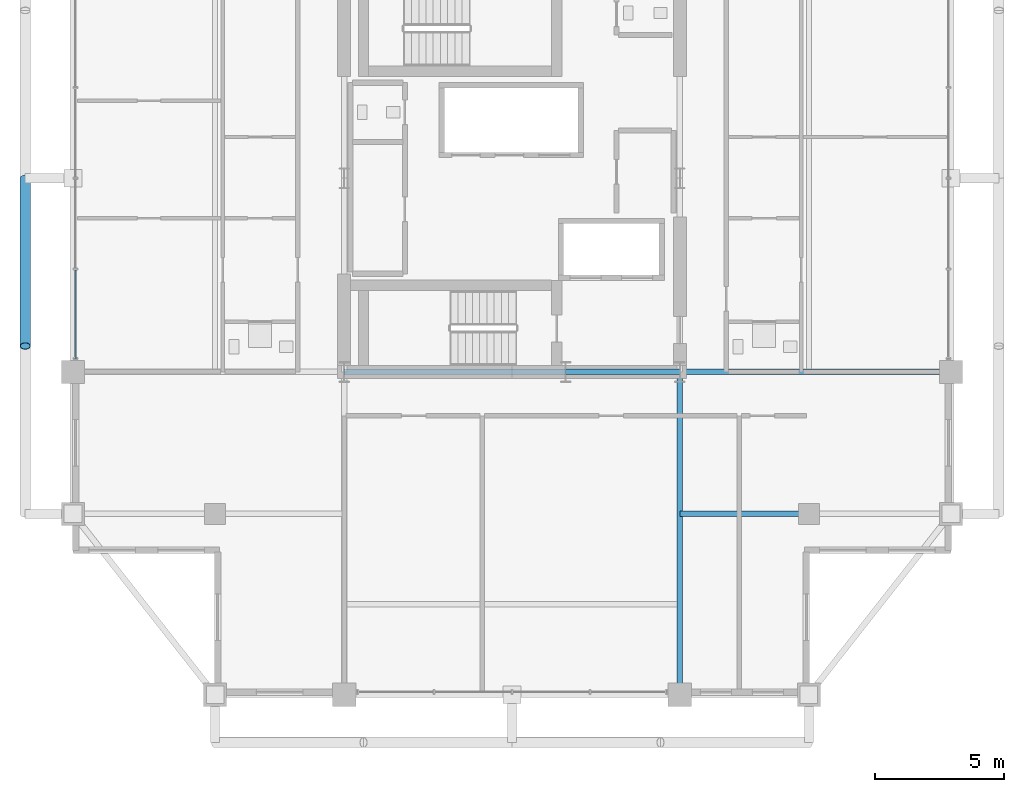
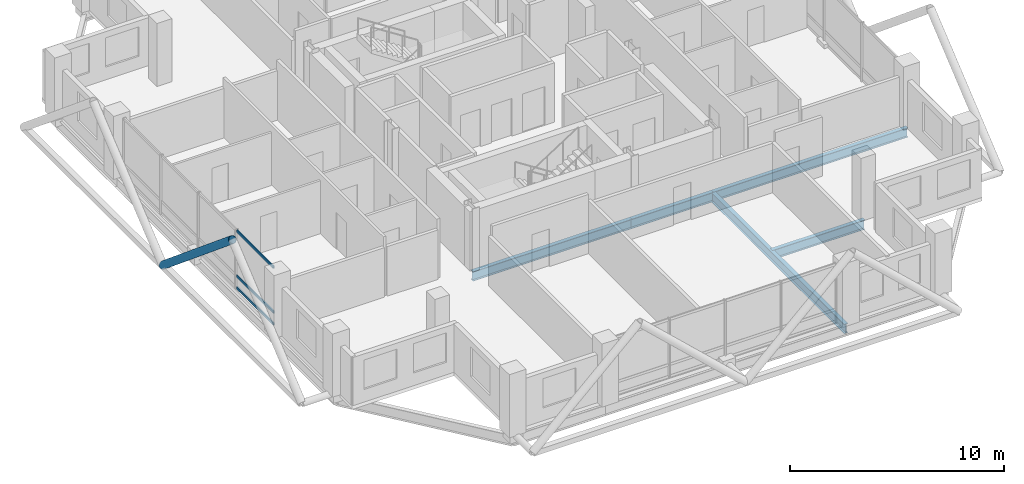
# One storey, part 7 of 24: 5 beams, 4 members, 1 element without a shape of its own.
"""IFC4 building model written with IfcOpenShell, lengths in metres."""

import ifcopenshell
import ifcopenshell.guid

model = None  # the IFC model being written
_history = None  # IfcOwnerHistory: only IFC2X3 demands one
_inside = {}  # id of a spatial element -> (the spatial element, [elements in it])
_under = {}  # id of a project, library or spatial element -> (it, [spatial elements below it])
_declared = {}  # id of a project -> (the project, [libraries it declares])
_typed = {}  # id of a type object -> (the type object, [elements of that type])
_made_of = {}  # id of a material, layer set ... -> (it, [elements and type objects made of it])


def new_model(schema):
    """Start an empty IFC model of exactly this schema.

    Asked for "IFC4X3", IfcOpenShell would pick the latest addendum, in which some entities
    have other attributes; the version numbers below select the first issue.
    IFC2X3 requires an IfcOwnerHistory on every rooted entity: one is made here for all.
    """
    global model, _history
    if schema == "IFC4X3":
        model = ifcopenshell.file(schema_version=(4, 3, 0, 0))
    else:
        model = ifcopenshell.file(schema=schema)
    _inside.clear()
    _under.clear()
    _declared.clear()
    _typed.clear()
    _made_of.clear()
    _history = None
    if model.schema == "IFC2X3":
        org = make("IfcOrganization", Name="unknown")
        user = make(
            "IfcPersonAndOrganization",
            ThePerson=make("IfcPerson", FamilyName="unknown"),
            TheOrganization=org,
        )
        app = make(
            "IfcApplication",
            ApplicationDeveloper=org,
            Version="unknown",
            ApplicationFullName="unknown",
            ApplicationIdentifier="unknown",
        )
        _history = make(
            "IfcOwnerHistory",
            OwningUser=user,
            OwningApplication=app,
            ChangeAction="ADDED",
            CreationDate=0,
        )
    return model


def make(cls, **values):
    """One entity of the class cls with the attributes given. An attribute that is None is left unset."""
    return model.create_entity(
        cls, **{name: value for name, value in values.items() if value is not None}
    )


def rooted(cls, **values):
    """An entity with a GlobalId (a new one), such as an element, a storey or a relation."""
    return make(cls, GlobalId=ifcopenshell.guid.new(), OwnerHistory=_history, **values)


def si_unit(unit_type, name, prefix=None):
    """IfcSIUnit, for example si_unit("LENGTHUNIT", "METRE", prefix="MILLI")."""
    return make("IfcSIUnit", UnitType=unit_type, Prefix=prefix, Name=name)


def assignment(units):
    """IfcUnitAssignment: the units of a project."""
    return None if units is None else make("IfcUnitAssignment", Units=units)


def point(xyz):
    """IfcCartesianPoint."""
    return None if xyz is None else make("IfcCartesianPoint", Coordinates=xyz)


def direction(xyz):
    """IfcDirection."""
    return None if xyz is None else make("IfcDirection", DirectionRatios=xyz)


def frame(location, z_axis=None, x_axis=None):
    """IfcAxis2Placement3D, a coordinate frame: its origin and axes. An axis left out is left unset."""
    return make(
        "IfcAxis2Placement3D",
        Location=point(location),
        Axis=direction(z_axis),
        RefDirection=direction(x_axis),
    )


def frame_2d(location, x_axis=None):
    """IfcAxis2Placement2D, a coordinate frame in the plane: its origin and x axis."""
    return make(
        "IfcAxis2Placement2D", Location=point(location), RefDirection=direction(x_axis)
    )


def origin():
    """The frame at (0, 0, 0) with its axes left unset."""
    return frame((0.0, 0.0, 0.0))


def origin_2d():
    """The frame at (0, 0) in the plane with its x axis left unset."""
    return frame_2d((0.0, 0.0))


def place(relative_to, where):
    """IfcLocalPlacement: puts the frame where relative to a parent placement (None: the world)."""
    return make(
        "IfcLocalPlacement", PlacementRelTo=relative_to, RelativePlacement=where
    )


def context(
    kind, dimensions, precision=None, world=None, true_north=None, identifier=None
):
    """IfcGeometricRepresentationContext, for example the 3D "Model" context."""
    return make(
        "IfcGeometricRepresentationContext",
        ContextIdentifier=identifier,
        ContextType=kind,
        CoordinateSpaceDimension=dimensions,
        Precision=precision,
        WorldCoordinateSystem=world,
        TrueNorth=true_north,
    )


def subcontext(parent, identifier, kind, view, scale=None):
    """IfcGeometricRepresentationSubContext, for example "Body" below "Model"."""
    return make(
        "IfcGeometricRepresentationSubContext",
        ContextIdentifier=identifier,
        ContextType=kind,
        ParentContext=parent,
        TargetScale=scale,
        TargetView=view,
    )


def project(units=None, contexts=None):
    """IfcProject with its units and contexts."""
    return rooted(
        "IfcProject",
        Name="project",
        RepresentationContexts=contexts,
        UnitsInContext=assignment(units),
    )


def spatial(cls, under=None, at=None, **own):
    """A site, building, storey or space (cls), placed at a placement, below another one or the project."""
    s = rooted(cls, ObjectPlacement=at, **own)
    if under is not None:
        _under.setdefault(under.id(), (under, []))[1].append(s)
    return s


def profile(cls, at=None, kind="AREA", **sizes):
    """A parametric profile (cls). Its sizes go by their IFC names, for example OverallWidth=200.0."""
    return make(cls, ProfileType=kind, Position=at, **sizes)


def hollow_rectangle(**sizes):
    """IfcRectangleHollowProfileDef."""
    return profile("IfcRectangleHollowProfileDef", **sizes)


def hollow_circle(**sizes):
    """IfcCircleHollowProfileDef."""
    return profile("IfcCircleHollowProfileDef", **sizes)


def i_section(**sizes):
    """IfcIShapeProfileDef."""
    return profile("IfcIShapeProfileDef", **sizes)


def extrude(swept, where, along, depth):
    """IfcExtrudedAreaSolid: the profile swept, set in the frame where, extruded along a direction by depth."""
    return make(
        "IfcExtrudedAreaSolid",
        SweptArea=swept,
        Position=where,
        ExtrudedDirection=direction(along),
        Depth=depth,
    )


def shape(context_of_items, identifier, shape_type, items):
    """IfcShapeRepresentation: the items that make up one representation, for example the "Body"."""
    return make(
        "IfcShapeRepresentation",
        ContextOfItems=context_of_items,
        RepresentationIdentifier=identifier,
        RepresentationType=shape_type,
        Items=items,
    )


def material(Name=None, Category=None):
    """IfcMaterial."""
    return make("IfcMaterial", Name=Name, Category=Category)


def layer(
    of_material, thickness, ventilated=None, Name=None, Category=None, Priority=None
):
    """IfcMaterialLayer: one layer of a wall or slab, of a material (None: an air gap)."""
    return make(
        "IfcMaterialLayer",
        Material=of_material,
        LayerThickness=thickness,
        IsVentilated=ventilated,
        Name=Name,
        Category=Category,
        Priority=Priority,
    )


def layer_set(layers, Name=None):
    """IfcMaterialLayerSet."""
    return make("IfcMaterialLayerSet", MaterialLayers=layers, LayerSetName=Name)


def material_profile(
    of_material, cross_section, Name=None, Category=None, Priority=None
):
    """IfcMaterialProfile: a cross section and its material."""
    return make(
        "IfcMaterialProfile",
        Name=Name,
        Material=of_material,
        Profile=cross_section,
        Priority=Priority,
        Category=Category,
    )


def profile_set(profiles, Name=None, composite=None):
    """IfcMaterialProfileSet."""
    return make(
        "IfcMaterialProfileSet",
        Name=Name,
        MaterialProfiles=profiles,
        CompositeProfile=composite,
    )


def made_of(thing, what):
    """Note that an element or type object is made of a material, layer set ...; save() writes the relation."""
    if what is not None:
        _made_of.setdefault(what.id(), (what, []))[1].append(thing)
    return thing


def type_object(cls, material=None, **own):
    """A type object (cls), such as IfcWallType, which elements share."""
    return made_of(rooted(cls, **own), material)


def element(
    cls,
    number,
    at=None,
    inside=None,
    cuts=None,
    type_object=None,
    material=None,
    context=None,
    identifier="Body",
    shape_type=None,
    held_by="IfcProductDefinitionShape",
    body=None,
    shapes=None,
    **own,
):
    """One element of the class cls, such as IfcWall. Its Tag is "e" and its number.

    at: its placement. inside: the storey or other place that contains it. cuts: it is an
    opening in that element (IfcRelVoidsElement). A single representation is given by context,
    identifier, shape_type and body (its items); several are given by shapes. held_by: the class
    of the entity that holds the representations. save() writes the other relations.
    """
    e = rooted(cls, Tag="e%d" % number, ObjectPlacement=at, **own)
    if body is not None:
        shapes = [shape(context, identifier, shape_type, body)]
    if shapes is not None:
        e.Representation = make(held_by, Representations=shapes)
    if inside is not None:
        _inside.setdefault(inside.id(), (inside, []))[1].append(e)
    if cuts is not None:
        rooted(
            "IfcRelVoidsElement", RelatingBuildingElement=cuts, RelatedOpeningElement=e
        )
    if type_object is not None:
        _typed.setdefault(type_object.id(), (type_object, []))[1].append(e)
    return made_of(e, material)


def aggregate(whole, parts):
    """IfcRelAggregates: a whole, such as a stair, and the parts it consists of."""
    return rooted("IfcRelAggregates", RelatingObject=whole, RelatedObjects=parts)


def save(model, path):
    """Write the relations noted so far, then the file.

    IfcRelAggregates (storeys below a building ...), IfcRelContainedInSpatialStructure (elements
    in a storey), IfcRelDefinesByType, IfcRelAssociatesMaterial and IfcRelDeclares: one each for
    every whole, place, type object, material and project.
    """
    for whole, parts in _under.values():
        aggregate(whole, parts)
    for where, things in _inside.values():
        rooted(
            "IfcRelContainedInSpatialStructure",
            RelatedElements=things,
            RelatingStructure=where,
        )
    for kind, things in _typed.values():
        rooted("IfcRelDefinesByType", RelatedObjects=things, RelatingType=kind)
    for what, things in _made_of.values():
        rooted("IfcRelAssociatesMaterial", RelatedObjects=things, RelatingMaterial=what)
    for by, libraries in _declared.values():
        rooted("IfcRelDeclares", RelatingContext=by, RelatedDefinitions=libraries)
    model.write(path)


model = new_model("IFC4")

# Units and contexts
model_context = context("Model", 3, precision=1e-05, world=origin(), true_north=direction((0.0, 1.0)))
body_context = subcontext(model_context, "Body", "Model", "MODEL_VIEW")
ifc_project = project(units=[si_unit("LENGTHUNIT", "METRE"), si_unit("AREAUNIT", "SQUARE_METRE"), si_unit("VOLUMEUNIT", "CUBIC_METRE"), si_unit("PLANEANGLEUNIT", "RADIAN"), si_unit("MASSUNIT", "GRAM", prefix="KILO")], contexts=[model_context])

# Site, building, storey
site_placement = place(None, origin())
site = spatial("IfcSite", under=ifc_project, at=site_placement, CompositionType="ELEMENT")
building_placement = place(site_placement, origin())
building = spatial("IfcBuilding", under=site, at=building_placement, Name="Barlavira Tower and Art Museum", CompositionType="ELEMENT")
storey_placement = place(building_placement, frame((0.0, 0.0, 251.10009765625)))
storey = spatial("IfcBuildingStorey", under=building, at=storey_placement, Name="L65", CompositionType="ELEMENT", Elevation=251.10009765625)

# Curtain wall, members
ifc_material_1 = material(Name="Low-iron coastal laminated glass", Category="glass")
ifc_layer = layer(ifc_material_1, 0.2099609375, Name="Low-iron coastal laminated glass")
ifc_layer_set = layer_set([ifc_layer], Name="Low-iron coastal laminated glass")
curtain_wall_type = type_object("IfcCurtainWallType", Name="Pale-Metal Unitised Curtain Wall Zone 4", PredefinedType="NOTDEFINED", material=ifc_layer_set)
curtain_wall_placement = place(storey_placement, origin())
curtain_wall = element("IfcCurtainWall", 1, at=curtain_wall_placement, inside=storey, type_object=curtain_wall_type, Name="L65 Curtain Wall CW4-L65-W-B3", PredefinedType="NOTDEFINED")
ifc_material_2 = material(Name="Pale anodised aluminium", Category="aluminium")
ifc_material_profile_1 = material_profile(ifc_material_2, hollow_rectangle(XDim=0.06494140625, YDim=0.139892578125, WallThickness=0.00390625, at=origin_2d()), Name="ALU-TRAN 65x140x4")
ifc_profile_set_1 = profile_set([ifc_material_profile_1], Name="Pale anodised aluminium")
member_type_1 = type_object("IfcMemberType", Name="Curtain Wall Pale-Metal Transom 65x140", PredefinedType="USERDEFINED", material=ifc_profile_set_1)
member_1_placement = place(storey_placement, frame((-16.89990234375, -3.56005859375, 0.06982421875), z_axis=(0.0, -1.0, 0.0), x_axis=(1.0, 0.0, 0.0)))
member_1 = element("IfcMember", 2, at=member_1_placement, type_object=member_type_1, Name="CW4-L65-W-B3 Transom 3.1", ObjectType="TRANSOM", PredefinedType="USERDEFINED", context=body_context, shape_type="SweptSolid", body=[
    extrude(hollow_rectangle(XDim=0.06494140625, YDim=0.139892578125, WallThickness=0.00390625, at=origin_2d()), origin(), (0.0, 0.0, 1.0), 3.425048828125),
])
member_2_placement = place(storey_placement, frame((-16.89990234375, -3.56005859375, 0.743896484375), z_axis=(0.0, -1.0, 0.0), x_axis=(1.0, 0.0, 0.0)))
member_2 = element("IfcMember", 3, at=member_2_placement, type_object=member_type_1, Name="CW4-L65-W-B3 Transom 3.2", ObjectType="TRANSOM", PredefinedType="USERDEFINED", context=body_context, shape_type="SweptSolid", body=[
    extrude(hollow_rectangle(XDim=0.06494140625, YDim=0.139892578125, WallThickness=0.00390625, at=origin_2d()), origin(), (0.0, 0.0, 1.0), 3.425048828125),
])
member_3_placement = place(storey_placement, frame((-16.89990234375, -3.56005859375, 3.309814453125), z_axis=(0.0, -1.0, 0.0), x_axis=(1.0, 0.0, 0.0)))
member_3 = element("IfcMember", 4, at=member_3_placement, type_object=member_type_1, Name="CW4-L65-W-B3 Transom 3.3", ObjectType="TRANSOM", PredefinedType="USERDEFINED", context=body_context, shape_type="SweptSolid", body=[
    extrude(hollow_rectangle(XDim=0.06494140625, YDim=0.139892578125, WallThickness=0.00390625, at=origin_2d()), origin(), (0.0, 0.0, 1.0), 3.425048828125),
])
aggregate(curtain_wall, [member_1, member_2, member_3])

# Member
ifc_material_3 = material(Name="Steel S355", Category="steel")
ifc_material_profile_2 = material_profile(ifc_material_3, hollow_circle(Radius=0.203125, WallThickness=0.01611328125, at=origin_2d()), Name="CHS 406.4x16.0")
ifc_profile_set_2 = profile_set([ifc_material_profile_2], Name="Steel S355")
member_type_2 = type_object("IfcMemberType", Name="Pale-Metal Exoskeleton Diagrid Tube CHS 406x16 Steel S355", PredefinedType="BRACE", material=ifc_profile_set_2)
member_4_placement = place(storey_placement, frame((-18.85009765625, 0.0, -0.1201171875), z_axis=(0.0, -0.769196053329, 0.639012857104), x_axis=(1.0, 0.0, 0.0)))
element("IfcMember", 5, at=member_4_placement, inside=storey, type_object=member_type_2, Name="L65 Exoskeleton Diagrid Tube W", PredefinedType="BRACE", context=body_context, shape_type="SweptSolid", body=[
    extrude(hollow_circle(Radius=0.203125, WallThickness=0.01611328125, at=origin_2d()), origin(), (0.0, 0.0, 1.0), 8.450439453125),
])

# Beams
ifc_material_profile_3 = material_profile(ifc_material_3, i_section(OverallWidth=0.2109375, OverallDepth=0.5390625, WebThickness=0.01171875, FlangeThickness=0.018798828125, at=origin_2d()), Name="W530x109.0")
ifc_profile_set_3 = profile_set([ifc_material_profile_3], Name="Steel S355")
beam_type = type_object("IfcBeamType", Name="Zone 3-4 Primary Floor Girder W530x109 Steel S355", PredefinedType="BEAM", material=ifc_profile_set_3)
beam_1_placement = place(storey_placement, frame((-6.5, -7.5, -0.489501953125), z_axis=(1.0, 0.0, 0.0), x_axis=(0.0, 1.0, 0.0)))
element("IfcBeam", 6, at=beam_1_placement, inside=storey, type_object=beam_type, Name="L65 Girder C-S1", PredefinedType="BEAM", context=body_context, shape_type="SweptSolid", body=[
    extrude(i_section(OverallWidth=0.2109375, OverallDepth=0.5390625, WebThickness=0.01171875, FlangeThickness=0.018798828125, at=origin_2d()), origin(), (0.0, 0.0, 1.0), 8.580078125),
])
beam_2_placement = place(storey_placement, frame((2.080078125, -7.5, -0.489501953125), z_axis=(1.0, 0.0, 0.0), x_axis=(0.0, 1.0, 0.0)))
element("IfcBeam", 7, at=beam_2_placement, inside=storey, type_object=beam_type, Name="L65 Girder C-S2", PredefinedType="BEAM", context=body_context, shape_type="SweptSolid", body=[
    extrude(i_section(OverallWidth=0.2109375, OverallDepth=0.5390625, WebThickness=0.01171875, FlangeThickness=0.018798828125, at=origin_2d()), origin(), (0.0, 0.0, 1.0), 4.419921875),
])
beam_3_placement = place(storey_placement, frame((6.5, -20.0, -0.489501953125), z_axis=(0.0, 1.0, 0.0), x_axis=(-1.0, 0.0, 0.0)))
element("IfcBeam", 8, at=beam_3_placement, inside=storey, type_object=beam_type, Name="L65 Girder R-S2", PredefinedType="BEAM", context=body_context, shape_type="SweptSolid", body=[
    extrude(i_section(OverallWidth=0.2109375, OverallDepth=0.5390625, WebThickness=0.01171875, FlangeThickness=0.018798828125, at=origin_2d()), origin(), (0.0, 0.0, 1.0), 12.5),
])
beam_4_placement = place(storey_placement, frame((6.5, -7.5, -0.489501953125), z_axis=(1.0, 0.0, 0.0), x_axis=(0.0, 1.0, 0.0)))
element("IfcBeam", 9, at=beam_4_placement, inside=storey, type_object=beam_type, Name="L65 Girder R-E1", PredefinedType="BEAM", context=body_context, shape_type="SweptSolid", body=[
    extrude(i_section(OverallWidth=0.2109375, OverallDepth=0.5390625, WebThickness=0.01171875, FlangeThickness=0.018798828125, at=origin_2d()), origin(), (0.0, 0.0, 1.0), 10.5),
])
beam_5_placement = place(storey_placement, frame((6.5, -13.0, -0.489501953125), z_axis=(1.0, 0.0, 0.0), x_axis=(0.0, 1.0, 0.0)))
element("IfcBeam", 10, at=beam_5_placement, inside=storey, type_object=beam_type, Name="L65 Girder I-S3", PredefinedType="BEAM", context=body_context, shape_type="SweptSolid", body=[
    extrude(i_section(OverallWidth=0.2109375, OverallDepth=0.5390625, WebThickness=0.01171875, FlangeThickness=0.018798828125, at=origin_2d()), origin(), (0.0, 0.0, 1.0), 5.0),
])

save(model, "model.ifc")
